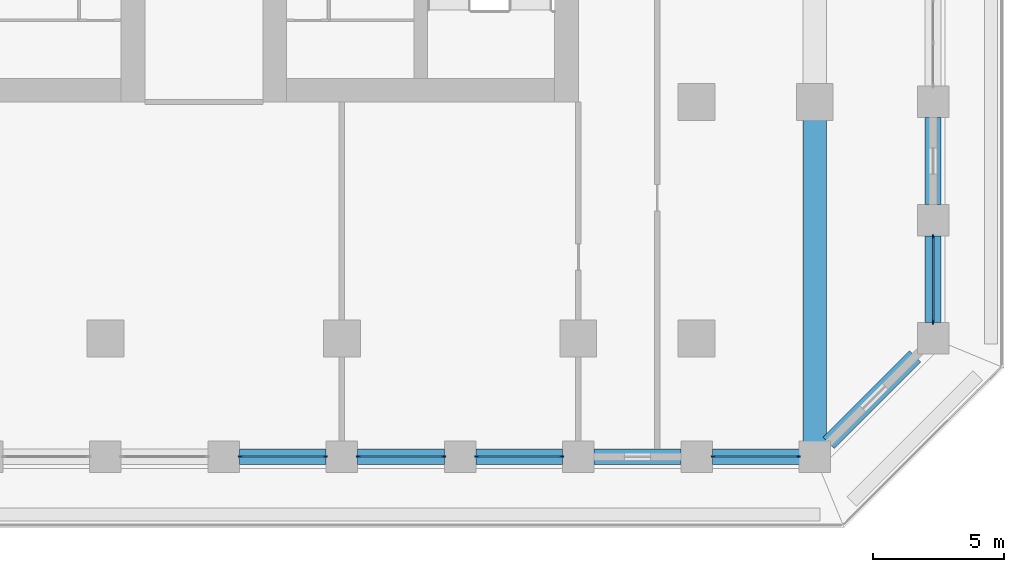
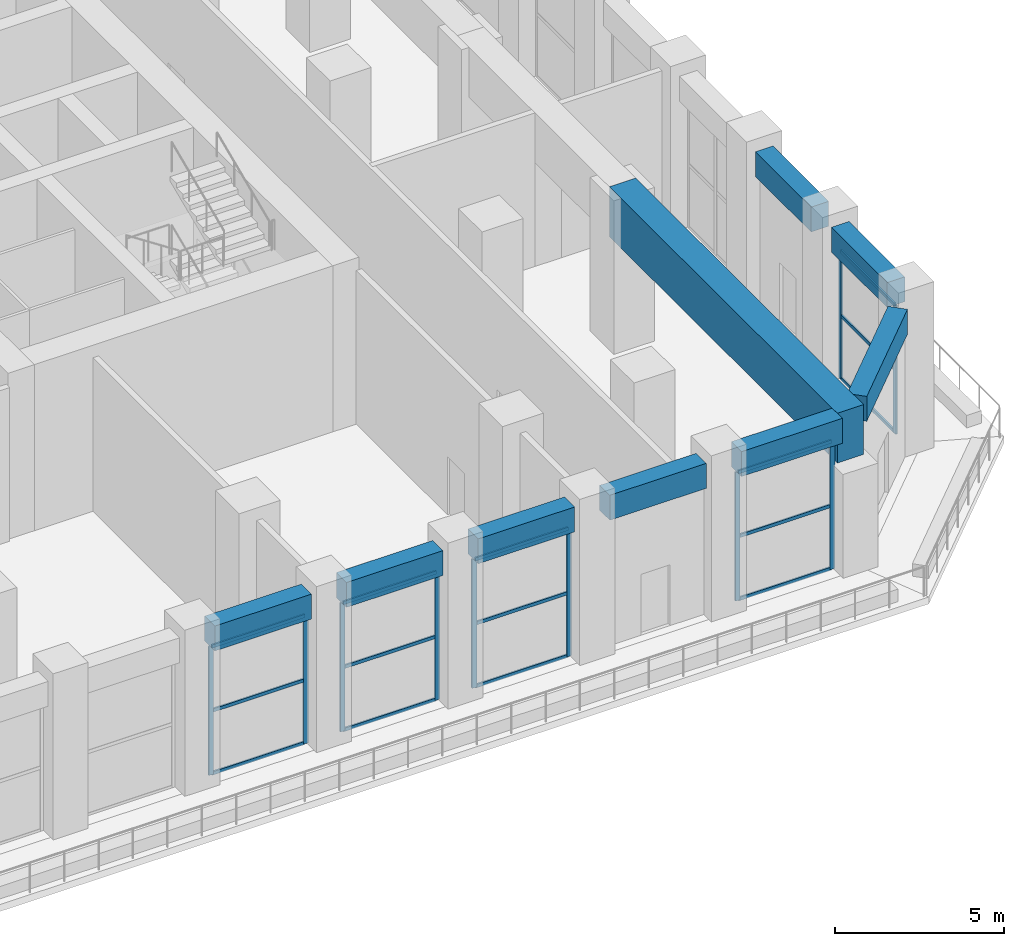
# One storey, part 4 of 24: 25 members, 9 beams, 5 elements without a shape of their own.
"""IFC4 building model written with IfcOpenShell, lengths in metres."""

from ifc_helpers import new_model, si_unit, direction, frame, origin, origin_2d, place, context, subcontext, project, spatial, rectangle, extrude, material, material_profile, profile_set, type_object, element, aggregate, save


model = new_model("IFC4")

# Units and contexts
model_context = context("Model", 3, precision=1e-05, world=origin(), true_north=direction((0.0, 1.0)))
body_context = subcontext(model_context, "Body", "Model", "MODEL_VIEW")
ifc_project = project(units=[si_unit("LENGTHUNIT", "METRE"), si_unit("AREAUNIT", "SQUARE_METRE"), si_unit("VOLUMEUNIT", "CUBIC_METRE"), si_unit("PLANEANGLEUNIT", "RADIAN"), si_unit("MASSUNIT", "GRAM", prefix="KILO")], contexts=[model_context])

# Site, building, storey
site_placement = place(None, origin())
site = spatial("IfcSite", under=ifc_project, at=site_placement, CompositionType="ELEMENT")
building_placement = place(site_placement, origin())
building = spatial("IfcBuilding", under=site, at=building_placement, Name="Corbel Stack Research Tower", CompositionType="ELEMENT")
storey_placement = place(building_placement, frame((0.0, 0.0, 110.699951171875)))
storey = spatial("IfcBuildingStorey", under=building, at=storey_placement, Name="L25", CompositionType="ELEMENT", Elevation=110.699951171875)

# Curtain wall, members
ifc_material_1 = material(Name="Aluminium frame, clear glass", Category="aluminium")
curtain_wall_type = type_object("IfcCurtainWallType", Name="Amenity floor curtain wall CW2", PredefinedType="NOTDEFINED", material=ifc_material_1)
curtain_wall_1_placement = place(storey_placement, origin())
curtain_wall_1 = element("IfcCurtainWall", 1, at=curtain_wall_1_placement, inside=storey, type_object=curtain_wall_type, Name="Curtain wall CW2 L25 S06", PredefinedType="NOTDEFINED")
ifc_material_2 = material(Name="Aluminium mullion", Category="aluminium")
ifc_material_profile_1 = material_profile(ifc_material_2, rectangle(XDim=0.06005859375, YDim=0.159912109375, at=origin_2d()), Name="Mullion 60 x 160")
ifc_profile_set_1 = profile_set([ifc_material_profile_1], Name="Aluminium mullion")
member_type_1 = type_object("IfcMemberType", Name="Curtain wall mullion 60 x 160", PredefinedType="MULLION", material=ifc_profile_set_1)
member_1_placement = place(storey_placement, frame((5.1298828125, -22.5, 0.0), z_axis=(0.0, 0.0, 1.0), x_axis=(0.0, 1.0, 0.0)))
member_1 = element("IfcMember", 2, at=member_1_placement, type_object=member_type_1, Name="CW2 L25 S06 mullion 1", PredefinedType="MULLION", context=body_context, shape_type="SweptSolid", body=[
    extrude(rectangle(XDim=0.06005859375, YDim=0.159912109375, at=origin_2d()), origin(), (0.0, 0.0, 1.0), 4.650146484375),
])
member_2_placement = place(storey_placement, frame((8.3701171875, -22.5, 0.0), z_axis=(0.0, 0.0, 1.0), x_axis=(0.0, 1.0, 0.0)))
member_2 = element("IfcMember", 3, at=member_2_placement, type_object=member_type_1, Name="CW2 L25 S06 mullion 2", PredefinedType="MULLION", context=body_context, shape_type="SweptSolid", body=[
    extrude(rectangle(XDim=0.06005859375, YDim=0.159912109375, at=origin_2d()), origin(), (0.0, 0.0, 1.0), 4.650146484375),
])

curtain_wall_2_placement = place(storey_placement, origin())
curtain_wall_2 = element("IfcCurtainWall", 4, at=curtain_wall_2_placement, inside=storey, type_object=curtain_wall_type, Name="Curtain wall CW2 L25 S07", PredefinedType="NOTDEFINED")
member_3_placement = place(storey_placement, frame((9.6298828125, -22.5, 0.0), z_axis=(0.0, 0.0, 1.0), x_axis=(0.0, 1.0, 0.0)))
member_3 = element("IfcMember", 5, at=member_3_placement, type_object=member_type_1, Name="CW2 L25 S07 mullion 1", PredefinedType="MULLION", context=body_context, shape_type="SweptSolid", body=[
    extrude(rectangle(XDim=0.06005859375, YDim=0.159912109375, at=origin_2d()), origin(), (0.0, 0.0, 1.0), 4.650146484375),
])
member_4_placement = place(storey_placement, frame((12.8701171875, -22.5, 0.0), z_axis=(0.0, 0.0, 1.0), x_axis=(0.0, 1.0, 0.0)))
member_4 = element("IfcMember", 6, at=member_4_placement, type_object=member_type_1, Name="CW2 L25 S07 mullion 2", PredefinedType="MULLION", context=body_context, shape_type="SweptSolid", body=[
    extrude(rectangle(XDim=0.06005859375, YDim=0.159912109375, at=origin_2d()), origin(), (0.0, 0.0, 1.0), 4.650146484375),
])

curtain_wall_3_placement = place(storey_placement, origin())
curtain_wall_3 = element("IfcCurtainWall", 7, at=curtain_wall_3_placement, inside=storey, type_object=curtain_wall_type, Name="Curtain wall CW2 L25 S08", PredefinedType="NOTDEFINED")
member_5_placement = place(storey_placement, frame((14.1298828125, -22.5, 0.0), z_axis=(0.0, 0.0, 1.0), x_axis=(0.0, 1.0, 0.0)))
member_5 = element("IfcMember", 8, at=member_5_placement, type_object=member_type_1, Name="CW2 L25 S08 mullion 1", PredefinedType="MULLION", context=body_context, shape_type="SweptSolid", body=[
    extrude(rectangle(XDim=0.06005859375, YDim=0.159912109375, at=origin_2d()), origin(), (0.0, 0.0, 1.0), 4.650146484375),
])
member_6_placement = place(storey_placement, frame((17.3701171875, -22.5, 0.0), z_axis=(0.0, 0.0, 1.0), x_axis=(0.0, 1.0, 0.0)))
member_6 = element("IfcMember", 9, at=member_6_placement, type_object=member_type_1, Name="CW2 L25 S08 mullion 2", PredefinedType="MULLION", context=body_context, shape_type="SweptSolid", body=[
    extrude(rectangle(XDim=0.06005859375, YDim=0.159912109375, at=origin_2d()), origin(), (0.0, 0.0, 1.0), 4.650146484375),
])

curtain_wall_4_placement = place(storey_placement, origin())
curtain_wall_4 = element("IfcCurtainWall", 10, at=curtain_wall_4_placement, inside=storey, type_object=curtain_wall_type, Name="Curtain wall CW2 L25 S10", PredefinedType="NOTDEFINED")
member_7_placement = place(storey_placement, frame((23.1298828125, -22.5, 0.0), z_axis=(0.0, 0.0, 1.0), x_axis=(0.0, 1.0, 0.0)))
member_7 = element("IfcMember", 11, at=member_7_placement, type_object=member_type_1, Name="CW2 L25 S10 mullion 1", PredefinedType="MULLION", context=body_context, shape_type="SweptSolid", body=[
    extrude(rectangle(XDim=0.06005859375, YDim=0.159912109375, at=origin_2d()), origin(), (0.0, 0.0, 1.0), 4.650146484375),
])
member_8_placement = place(storey_placement, frame((26.3701171875, -22.5, 0.0), z_axis=(0.0, 0.0, 1.0), x_axis=(0.0, 1.0, 0.0)))
member_8 = element("IfcMember", 12, at=member_8_placement, type_object=member_type_1, Name="CW2 L25 S10 mullion 2", PredefinedType="MULLION", context=body_context, shape_type="SweptSolid", body=[
    extrude(rectangle(XDim=0.06005859375, YDim=0.159912109375, at=origin_2d()), origin(), (0.0, 0.0, 1.0), 4.650146484375),
])

curtain_wall_5_placement = place(storey_placement, origin())
curtain_wall_5 = element("IfcCurtainWall", 13, at=curtain_wall_5_placement, inside=storey, type_object=curtain_wall_type, Name="Curtain wall CW2 L25 E01", PredefinedType="NOTDEFINED")
member_9_placement = place(storey_placement, frame((31.5, -17.3701171875, 0.0), z_axis=(0.0, 0.0, 1.0), x_axis=(-1.0, 0.0, 0.0)))
member_9 = element("IfcMember", 14, at=member_9_placement, type_object=member_type_1, Name="CW2 L25 E01 mullion 1", PredefinedType="MULLION", context=body_context, shape_type="SweptSolid", body=[
    extrude(rectangle(XDim=0.06005859375, YDim=0.159912109375, at=origin_2d()), origin(), (0.0, 0.0, 1.0), 4.650146484375),
])
member_10_placement = place(storey_placement, frame((31.5, -14.1298828125, 0.0), z_axis=(0.0, 0.0, 1.0), x_axis=(-1.0, 0.0, 0.0)))
member_10 = element("IfcMember", 15, at=member_10_placement, type_object=member_type_1, Name="CW2 L25 E01 mullion 2", PredefinedType="MULLION", context=body_context, shape_type="SweptSolid", body=[
    extrude(rectangle(XDim=0.06005859375, YDim=0.159912109375, at=origin_2d()), origin(), (0.0, 0.0, 1.0), 4.650146484375),
])

# Member
ifc_material_3 = material(Name="Aluminium transom", Category="aluminium")
ifc_material_profile_2 = material_profile(ifc_material_3, rectangle(XDim=0.06005859375, YDim=0.1201171875, at=origin_2d()), Name="Transom 60 x 120")
ifc_profile_set_2 = profile_set([ifc_material_profile_2], Name="Aluminium transom")
member_type_2 = type_object("IfcMemberType", Name="Curtain wall transom 60 x 120", PredefinedType="USERDEFINED", material=ifc_profile_set_2)
member_11_placement = place(storey_placement, frame((5.159912109375, -22.5, 0.030029296875), z_axis=(1.0, 0.0, 0.0), x_axis=(0.0, 1.0, 0.0)))
member_11 = element("IfcMember", 16, at=member_11_placement, type_object=member_type_2, Name="CW2 L25 S06 transom 1.1", ObjectType="TRANSOM", PredefinedType="USERDEFINED", context=body_context, shape_type="SweptSolid", body=[
    extrude(rectangle(XDim=0.06005859375, YDim=0.1201171875, at=origin_2d()), origin(), (0.0, 0.0, 1.0), 3.18017578125),
])

member_12_placement = place(storey_placement, frame((5.159912109375, -22.5, 2.300048828125), z_axis=(1.0, 0.0, 0.0), x_axis=(0.0, 1.0, 0.0)))
member_12 = element("IfcMember", 17, at=member_12_placement, type_object=member_type_2, Name="CW2 L25 S06 transom 1.2", ObjectType="TRANSOM", PredefinedType="USERDEFINED", context=body_context, shape_type="SweptSolid", body=[
    extrude(rectangle(XDim=0.06005859375, YDim=0.1201171875, at=origin_2d()), origin(), (0.0, 0.0, 1.0), 3.18017578125),
])

member_13_placement = place(storey_placement, frame((5.159912109375, -22.5, 4.6201171875), z_axis=(1.0, 0.0, 0.0), x_axis=(0.0, 1.0, 0.0)))
member_13 = element("IfcMember", 18, at=member_13_placement, type_object=member_type_2, Name="CW2 L25 S06 transom 1.3", ObjectType="TRANSOM", PredefinedType="USERDEFINED", context=body_context, shape_type="SweptSolid", body=[
    extrude(rectangle(XDim=0.06005859375, YDim=0.1201171875, at=origin_2d()), origin(), (0.0, 0.0, 1.0), 3.18017578125),
])

aggregate(curtain_wall_1, [member_1, member_2, member_11, member_12, member_13])

member_14_placement = place(storey_placement, frame((9.659912109375, -22.5, 0.030029296875), z_axis=(1.0, 0.0, 0.0), x_axis=(0.0, 1.0, 0.0)))
member_14 = element("IfcMember", 19, at=member_14_placement, type_object=member_type_2, Name="CW2 L25 S07 transom 1.1", ObjectType="TRANSOM", PredefinedType="USERDEFINED", context=body_context, shape_type="SweptSolid", body=[
    extrude(rectangle(XDim=0.06005859375, YDim=0.1201171875, at=origin_2d()), origin(), (0.0, 0.0, 1.0), 3.18017578125),
])

member_15_placement = place(storey_placement, frame((9.659912109375, -22.5, 2.300048828125), z_axis=(1.0, 0.0, 0.0), x_axis=(0.0, 1.0, 0.0)))
member_15 = element("IfcMember", 20, at=member_15_placement, type_object=member_type_2, Name="CW2 L25 S07 transom 1.2", ObjectType="TRANSOM", PredefinedType="USERDEFINED", context=body_context, shape_type="SweptSolid", body=[
    extrude(rectangle(XDim=0.06005859375, YDim=0.1201171875, at=origin_2d()), origin(), (0.0, 0.0, 1.0), 3.18017578125),
])

member_16_placement = place(storey_placement, frame((9.659912109375, -22.5, 4.6201171875), z_axis=(1.0, 0.0, 0.0), x_axis=(0.0, 1.0, 0.0)))
member_16 = element("IfcMember", 21, at=member_16_placement, type_object=member_type_2, Name="CW2 L25 S07 transom 1.3", ObjectType="TRANSOM", PredefinedType="USERDEFINED", context=body_context, shape_type="SweptSolid", body=[
    extrude(rectangle(XDim=0.06005859375, YDim=0.1201171875, at=origin_2d()), origin(), (0.0, 0.0, 1.0), 3.18017578125),
])

aggregate(curtain_wall_2, [member_3, member_4, member_14, member_15, member_16])

member_17_placement = place(storey_placement, frame((14.159912109375, -22.5, 0.030029296875), z_axis=(1.0, 0.0, 0.0), x_axis=(0.0, 1.0, 0.0)))
member_17 = element("IfcMember", 22, at=member_17_placement, type_object=member_type_2, Name="CW2 L25 S08 transom 1.1", ObjectType="TRANSOM", PredefinedType="USERDEFINED", context=body_context, shape_type="SweptSolid", body=[
    extrude(rectangle(XDim=0.06005859375, YDim=0.1201171875, at=origin_2d()), origin(), (0.0, 0.0, 1.0), 3.18017578125),
])

member_18_placement = place(storey_placement, frame((14.159912109375, -22.5, 2.300048828125), z_axis=(1.0, 0.0, 0.0), x_axis=(0.0, 1.0, 0.0)))
member_18 = element("IfcMember", 23, at=member_18_placement, type_object=member_type_2, Name="CW2 L25 S08 transom 1.2", ObjectType="TRANSOM", PredefinedType="USERDEFINED", context=body_context, shape_type="SweptSolid", body=[
    extrude(rectangle(XDim=0.06005859375, YDim=0.1201171875, at=origin_2d()), origin(), (0.0, 0.0, 1.0), 3.18017578125),
])

member_19_placement = place(storey_placement, frame((14.159912109375, -22.5, 4.6201171875), z_axis=(1.0, 0.0, 0.0), x_axis=(0.0, 1.0, 0.0)))
member_19 = element("IfcMember", 24, at=member_19_placement, type_object=member_type_2, Name="CW2 L25 S08 transom 1.3", ObjectType="TRANSOM", PredefinedType="USERDEFINED", context=body_context, shape_type="SweptSolid", body=[
    extrude(rectangle(XDim=0.06005859375, YDim=0.1201171875, at=origin_2d()), origin(), (0.0, 0.0, 1.0), 3.18017578125),
])

aggregate(curtain_wall_3, [member_5, member_6, member_17, member_18, member_19])

member_20_placement = place(storey_placement, frame((23.159912109375, -22.5, 0.030029296875), z_axis=(1.0, 0.0, 0.0), x_axis=(0.0, 1.0, 0.0)))
member_20 = element("IfcMember", 25, at=member_20_placement, type_object=member_type_2, Name="CW2 L25 S10 transom 1.1", ObjectType="TRANSOM", PredefinedType="USERDEFINED", context=body_context, shape_type="SweptSolid", body=[
    extrude(rectangle(XDim=0.06005859375, YDim=0.1201171875, at=origin_2d()), origin(), (0.0, 0.0, 1.0), 3.18017578125),
])

member_21_placement = place(storey_placement, frame((23.159912109375, -22.5, 2.300048828125), z_axis=(1.0, 0.0, 0.0), x_axis=(0.0, 1.0, 0.0)))
member_21 = element("IfcMember", 26, at=member_21_placement, type_object=member_type_2, Name="CW2 L25 S10 transom 1.2", ObjectType="TRANSOM", PredefinedType="USERDEFINED", context=body_context, shape_type="SweptSolid", body=[
    extrude(rectangle(XDim=0.06005859375, YDim=0.1201171875, at=origin_2d()), origin(), (0.0, 0.0, 1.0), 3.18017578125),
])

member_22_placement = place(storey_placement, frame((23.159912109375, -22.5, 4.6201171875), z_axis=(1.0, 0.0, 0.0), x_axis=(0.0, 1.0, 0.0)))
member_22 = element("IfcMember", 27, at=member_22_placement, type_object=member_type_2, Name="CW2 L25 S10 transom 1.3", ObjectType="TRANSOM", PredefinedType="USERDEFINED", context=body_context, shape_type="SweptSolid", body=[
    extrude(rectangle(XDim=0.06005859375, YDim=0.1201171875, at=origin_2d()), origin(), (0.0, 0.0, 1.0), 3.18017578125),
])

aggregate(curtain_wall_4, [member_7, member_8, member_20, member_21, member_22])

member_23_placement = place(storey_placement, frame((31.5, -17.340087890625, 0.030029296875), z_axis=(0.0, 1.0, 0.0), x_axis=(-1.0, 0.0, 0.0)))
member_23 = element("IfcMember", 28, at=member_23_placement, type_object=member_type_2, Name="CW2 L25 E01 transom 1.1", ObjectType="TRANSOM", PredefinedType="USERDEFINED", context=body_context, shape_type="SweptSolid", body=[
    extrude(rectangle(XDim=0.06005859375, YDim=0.1201171875, at=origin_2d()), origin(), (0.0, 0.0, 1.0), 3.18017578125),
])

member_24_placement = place(storey_placement, frame((31.5, -17.340087890625, 2.300048828125), z_axis=(0.0, 1.0, 0.0), x_axis=(-1.0, 0.0, 0.0)))
member_24 = element("IfcMember", 29, at=member_24_placement, type_object=member_type_2, Name="CW2 L25 E01 transom 1.2", ObjectType="TRANSOM", PredefinedType="USERDEFINED", context=body_context, shape_type="SweptSolid", body=[
    extrude(rectangle(XDim=0.06005859375, YDim=0.1201171875, at=origin_2d()), origin(), (0.0, 0.0, 1.0), 3.18017578125),
])

member_25_placement = place(storey_placement, frame((31.5, -17.340087890625, 4.6201171875), z_axis=(0.0, 1.0, 0.0), x_axis=(-1.0, 0.0, 0.0)))
member_25 = element("IfcMember", 30, at=member_25_placement, type_object=member_type_2, Name="CW2 L25 E01 transom 1.3", ObjectType="TRANSOM", PredefinedType="USERDEFINED", context=body_context, shape_type="SweptSolid", body=[
    extrude(rectangle(XDim=0.06005859375, YDim=0.1201171875, at=origin_2d()), origin(), (0.0, 0.0, 1.0), 3.18017578125),
])

aggregate(curtain_wall_5, [member_9, member_10, member_23, member_24, member_25])

# Beams
ifc_material_4 = material(Name="Concrete C60/75", Category="concrete")
ifc_material_profile_3 = material_profile(ifc_material_4, rectangle(XDim=0.60009765625, YDim=0.89990234375, at=origin_2d()), Name="RC 600 x 900")
ifc_profile_set_3 = profile_set([ifc_material_profile_3], Name="Concrete C60/75")
beam_type_1 = type_object("IfcBeamType", Name="SB-600-900-450", PredefinedType="SPANDREL", material=ifc_profile_set_3)
for number, where, z_axis, x_axis, name in (
    (31, (5.10009765625, -22.5, 5.10009765625), (1.0, 0.0, 0.0), (0.0, 1.0, 0.0), "Spandrel beam L25-06"),
    (32, (9.60009765625, -22.5, 5.10009765625), (1.0, 0.0, 0.0), (0.0, 1.0, 0.0), "Spandrel beam L25-07"),
    (33, (14.10009765625, -22.5, 5.10009765625), (1.0, 0.0, 0.0), (0.0, 1.0, 0.0), "Spandrel beam L25-08"),
    (34, (18.60009765625, -22.5, 5.10009765625), (1.0, 0.0, 0.0), (0.0, 1.0, 0.0), "Spandrel beam L25-09"),
):
    element("IfcBeam", number, at=place(storey_placement, frame(where, z_axis=z_axis, x_axis=x_axis)), inside=storey, type_object=beam_type_1, Name=name, PredefinedType="SPANDREL", context=body_context, shape_type="SweptSolid", body=[
        extrude(rectangle(XDim=0.60009765625, YDim=0.89990234375, at=origin_2d()), origin(), (0.0, 0.0, 1.0), 3.2998046875),
    ])
beam_1_placement = place(storey_placement, frame((23.10009765625, -22.5, 5.10009765625), z_axis=(1.0, 0.0, 0.0), x_axis=(0.0, 1.0, 0.0)))
element("IfcBeam", 35, at=beam_1_placement, inside=storey, type_object=beam_type_1, Name="Spandrel beam L25-10", PredefinedType="SPANDREL", context=body_context, shape_type="SweptSolid", body=[
    extrude(rectangle(XDim=0.60009765625, YDim=0.89990234375, at=origin_2d()), origin(), (0.0, 0.0, 1.0), 3.449951171875),
])
beam_2_placement = place(storey_placement, frame((27.52783203125, -21.97216796875, 5.10009765625), z_axis=(0.707106781187, 0.707106781187, 0.0), x_axis=(-0.707106781187, 0.707106781187, 0.0)))
element("IfcBeam", 36, at=beam_2_placement, inside=storey, type_object=beam_type_1, Name="Spandrel beam L25-11", PredefinedType="SPANDREL", context=body_context, shape_type="SweptSolid", body=[
    extrude(rectangle(XDim=0.60009765625, YDim=0.89990234375, at=origin_2d()), origin(), (0.0, 0.0, 1.0), 4.658935546875),
])
for number, where, z_axis, x_axis, name in (
    (37, (31.5, -17.39990234375, 5.10009765625), (0.0, 1.0, 0.0), (-1.0, 0.0, 0.0), "Spandrel beam L25-12"),
    (38, (31.5, -12.89990234375, 5.10009765625), (0.0, 1.0, 0.0), (-1.0, 0.0, 0.0), "Spandrel beam L25-13"),
):
    element("IfcBeam", number, at=place(storey_placement, frame(where, z_axis=z_axis, x_axis=x_axis)), inside=storey, type_object=beam_type_1, Name=name, PredefinedType="SPANDREL", context=body_context, shape_type="SweptSolid", body=[
        extrude(rectangle(XDim=0.60009765625, YDim=0.89990234375, at=origin_2d()), origin(), (0.0, 0.0, 1.0), 3.2998046875),
    ])
ifc_material_5 = material(Name="Concrete C60/75", Category="concrete")
ifc_material_profile_4 = material_profile(ifc_material_5, rectangle(XDim=0.89990234375, YDim=1.800048828125, at=origin_2d()), Name="RC 900 x 1800")
ifc_profile_set_4 = profile_set([ifc_material_profile_4], Name="Concrete C60/75")
beam_type_2 = type_object("IfcBeamType", Name="TG-900-1800", PredefinedType="BEAM", material=ifc_profile_set_4)
beam_3_placement = place(storey_placement, frame((27.0, -22.5, 4.650146484375), z_axis=(0.0, 1.0, 0.0), x_axis=(-1.0, 0.0, 0.0)))
element("IfcBeam", 39, at=beam_3_placement, inside=storey, type_object=beam_type_2, Name="Transfer girder along the step L25 El-22.5", PredefinedType="BEAM", context=body_context, shape_type="SweptSolid", body=[
    extrude(rectangle(XDim=0.89990234375, YDim=1.800048828125, at=origin_2d()), origin(), (0.0, 0.0, 1.0), 13.5),
])

save(model, "model.ifc")
